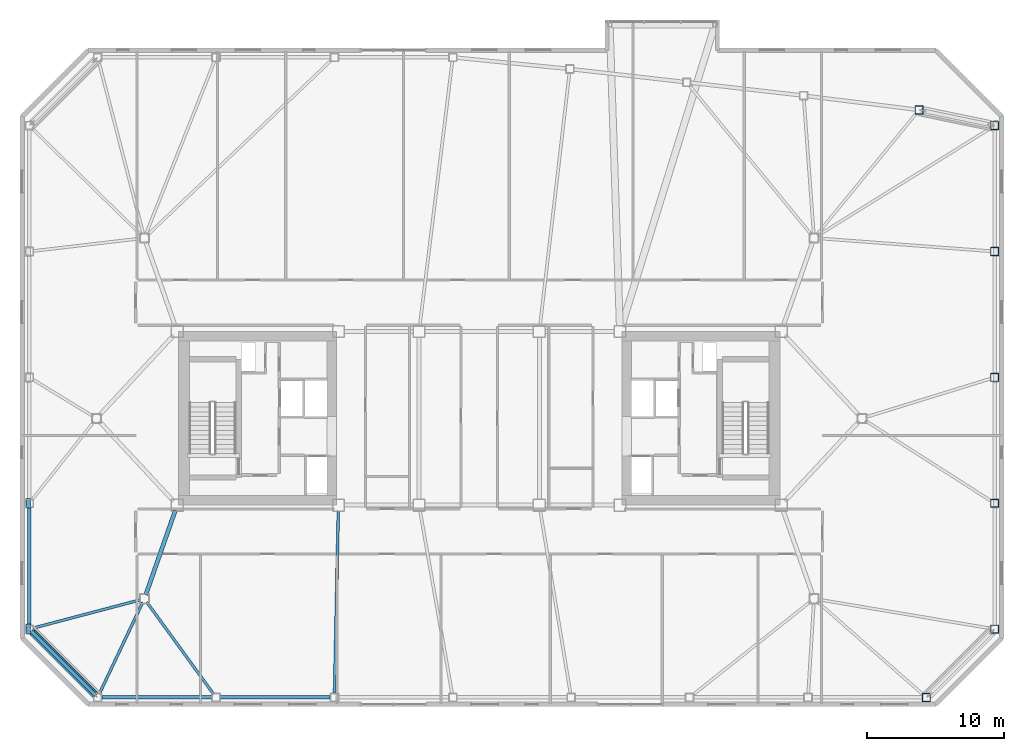
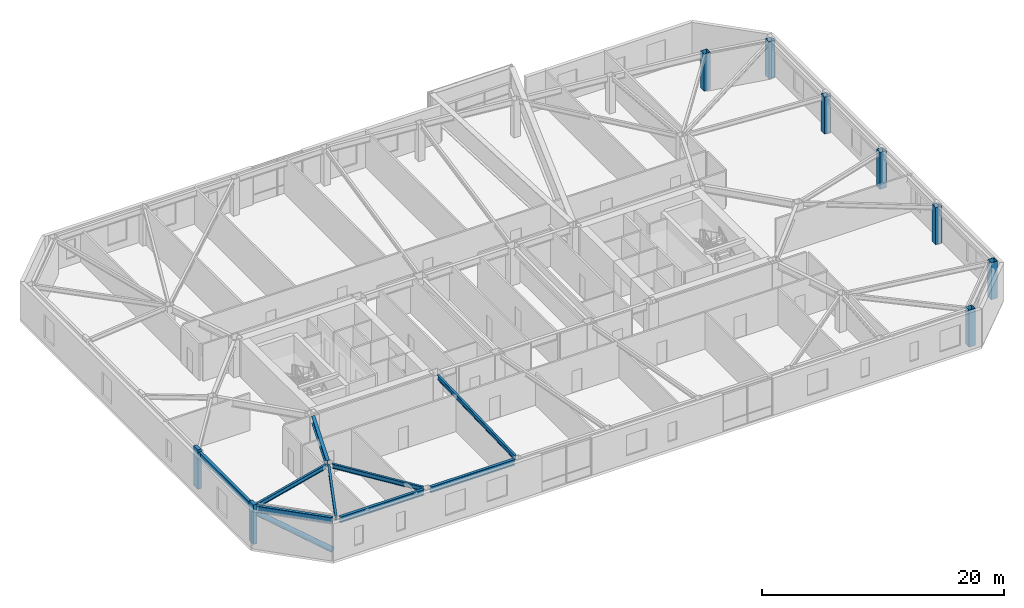
# One storey, part 3 of 20: 9 beams, 7 columns, 3 members.
"""IFC4 building model written with IfcOpenShell, lengths in metres."""

from ifc_helpers import new_model, si_unit, direction, frame, origin, origin_2d, place, context, subcontext, project, spatial, rectangle, hollow_rectangle, hollow_circle, i_section, extrude, material, material_profile, profile_set, type_object, element, save


model = new_model("IFC4")

# Units and contexts
model_context = context("Model", 3, precision=1e-05, world=origin(), true_north=direction((0.0, 1.0)))
body_context = subcontext(model_context, "Body", "Model", "MODEL_VIEW")
ifc_project = project(units=[si_unit("LENGTHUNIT", "METRE"), si_unit("AREAUNIT", "SQUARE_METRE"), si_unit("VOLUMEUNIT", "CUBIC_METRE"), si_unit("PLANEANGLEUNIT", "RADIAN"), si_unit("MASSUNIT", "GRAM", prefix="KILO")], contexts=[model_context])

# Site, building, storey
site_placement = place(None, origin())
site = spatial("IfcSite", under=ifc_project, at=site_placement, CompositionType="ELEMENT")
building_placement = place(site_placement, origin())
building = spatial("IfcBuilding", under=site, at=building_placement, Name="Tavrogorsk Clinical Tower", CompositionType="ELEMENT")
storey_placement = place(building_placement, frame((0.0, 0.0, 176.199951171875)))
storey = spatial("IfcBuildingStorey", under=building, at=storey_placement, Name="L40", CompositionType="ELEMENT", Elevation=176.199951171875)

# Columns
ifc_material_1 = material(Name="Structural steel S440", Category="steel")
ifc_material_profile_1 = material_profile(ifc_material_1, hollow_rectangle(XDim=0.60009765625, YDim=0.60009765625, WallThickness=0.028076171875, at=origin_2d()), Name="BOX-600x600x28")
ifc_profile_set_1 = profile_set([ifc_material_profile_1], Name="Structural steel S440")
column_type = type_object("IfcColumnType", Name="PerimCol_B3_BOX600", PredefinedType="COLUMN", material=ifc_profile_set_1)
for number, where, z_axis, x_axis, name in (
    (1, (32.719970703125, -20.419921875, 0.0), (0.0, 0.0, 1.0), (1.0, 0.0, 0.0), "L40 Perimeter Column S8"),
    (2, (32.19140625, 22.56591796875, 0.0), (0.0, 0.0, 1.0), (1.0, 0.0, 0.0), "L40 Perimeter Column N1"),
    (3, (37.719970703125, -15.419921875, 0.0), (0.0, 0.0, 1.0), (1.0, 0.0, 0.0), "L40 Perimeter Column E1"),
    (4, (37.719970703125, -6.2099609375, 0.0), (0.0, 0.0, 1.0), (1.0, 0.0, 0.0), "L40 Perimeter Column E2"),
    (5, (37.719970703125, 3.0, 0.0), (0.0, 0.0, 1.0), (1.0, 0.0, 0.0), "L40 Perimeter Column E3"),
    (6, (37.719970703125, 12.2099609375, 0.0), (0.0, 0.0, 1.0), (1.0, 0.0, 0.0), "L40 Perimeter Column E4"),
    (7, (37.719970703125, 21.419921875, 0.0), (0.0, 0.0, 1.0), (1.0, 0.0, 0.0), "L40 Perimeter Column E5"),
):
    element("IfcColumn", number, at=place(storey_placement, frame(where, z_axis=z_axis, x_axis=x_axis)), inside=storey, type_object=column_type, Name=name, PredefinedType="COLUMN", context=body_context, shape_type="SweptSolid", body=[
        extrude(hollow_rectangle(XDim=0.60009765625, YDim=0.60009765625, WallThickness=0.028076171875, at=origin_2d()), origin(), (0.0, 0.0, 1.0), 3.739990234375),
    ])

# Member
ifc_material_2 = material(Name="Structural steel S440", Category="steel")
ifc_material_profile_2 = material_profile(ifc_material_2, hollow_circle(Radius=0.25390625, WallThickness=0.02001953125, at=origin_2d()), Name="CHS-508x20")
ifc_profile_set_2 = profile_set([ifc_material_profile_2], Name="Structural steel S440")
member_type_1 = type_object("IfcMemberType", Name="ExoBrace_CHS508", PredefinedType="BRACE", material=ifc_profile_set_2)
member_placement = place(storey_placement, frame((-28.12255859375, -20.217529296875, 0.4130859375), z_axis=(-0.657758524103, 0.657758524103, 0.367025132572), x_axis=(-0.707106781187, -0.707106781187, 0.0)))
element("IfcMember", 8, at=member_placement, inside=storey, type_object=member_type_1, Name="L40 Corner Exoskeleton Brace W5-S1", PredefinedType="BRACE", context=body_context, shape_type="SweptSolid", body=[
    extrude(hollow_circle(Radius=0.25390625, WallThickness=0.02001953125, at=origin_2d()), origin(), (0.0, 0.0, 1.0), 6.98583984375),
])

# Beams
ifc_material_3 = material(Name="Structural steel S355", Category="steel")
ifc_material_profile_3 = material_profile(ifc_material_3, i_section(OverallWidth=0.199951171875, OverallDepth=0.449951171875, WebThickness=0.011474609375, FlangeThickness=0.01806640625, at=origin_2d()), Name="B-450x200x11.5x18")
ifc_profile_set_3 = profile_set([ifc_material_profile_3], Name="Structural steel S355")
beam_type_1 = type_object("IfcBeamType", Name="FloorBeam_B450", PredefinedType="BEAM", material=ifc_profile_set_3)
beam_1_placement = place(storey_placement, frame((-24.6328125, -13.480224609375, 3.51513671875), z_axis=(-0.428073530385, -0.90374390874, 0.0), x_axis=(0.90374390874, -0.428073530385, 0.0)))
element("IfcBeam", 9, at=beam_1_placement, inside=storey, type_object=beam_type_1, Name="L40 Radial Floor Beam S1", PredefinedType="BEAM", context=body_context, shape_type="SweptSolid", body=[
    extrude(i_section(OverallWidth=0.199951171875, OverallDepth=0.449951171875, WebThickness=0.011474609375, FlangeThickness=0.01806640625, at=origin_2d()), origin(), (0.0, 0.0, 1.0), 7.370849609375),
])
beam_2_placement = place(storey_placement, frame((-24.31787109375, -13.450927734375, 3.51513671875), z_axis=(0.587591229638, -0.809157924544, 0.0), x_axis=(0.809157924544, 0.587591229638, 0.0)))
element("IfcBeam", 10, at=beam_2_placement, inside=storey, type_object=beam_type_1, Name="L40 Radial Floor Beam S2", PredefinedType="BEAM", context=body_context, shape_type="SweptSolid", body=[
    extrude(i_section(OverallWidth=0.199951171875, OverallDepth=0.449951171875, WebThickness=0.011474609375, FlangeThickness=0.01806640625, at=origin_2d()), origin(), (0.0, 0.0, 1.0), 8.304931640625),
])
beam_3_placement = place(storey_placement, frame((-10.30859375, -6.760009765625, 3.51513671875), z_axis=(-0.020913325994, -0.999781292481, 0.0), x_axis=(0.999781292481, -0.020913325994, 0.0)))
element("IfcBeam", 11, at=beam_3_placement, inside=storey, type_object=beam_type_1, Name="L40 Radial Floor Beam S3", PredefinedType="BEAM", context=body_context, shape_type="SweptSolid", body=[
    extrude(i_section(OverallWidth=0.199951171875, OverallDepth=0.449951171875, WebThickness=0.011474609375, FlangeThickness=0.01806640625, at=origin_2d()), origin(), (0.0, 0.0, 1.0), 13.35498046875),
])
beam_4_placement = place(storey_placement, frame((-24.7998046875, -13.279052734375, 3.51513671875), z_axis=(-0.966952457073, -0.254956752726, 0.0), x_axis=(0.254956752726, -0.966952457073, 0.0)))
element("IfcBeam", 12, at=beam_4_placement, inside=storey, type_object=beam_type_1, Name="L40 Radial Floor Beam W5", PredefinedType="BEAM", context=body_context, shape_type="SweptSolid", body=[
    extrude(i_section(OverallWidth=0.199951171875, OverallDepth=0.449951171875, WebThickness=0.011474609375, FlangeThickness=0.01806640625, at=origin_2d()), origin(), (0.0, 0.0, 1.0), 8.089599609375),
])

# Members
ifc_material_4 = material(Name="Precast concrete B45 with limestone cladding", Category="masonry")
ifc_material_profile_4 = material_profile(ifc_material_4, rectangle(XDim=0.320068359375, YDim=0.719970703125, at=origin_2d()), Name="LIMESTONE-FIN-320x720")
ifc_profile_set_4 = profile_set([ifc_material_profile_4], Name="Precast concrete B45 with limestone cladding")
member_type_2 = type_object("IfcMemberType", Name="LimestonePleatFin_320x720", PredefinedType="USERDEFINED", material=ifc_profile_set_4)
for number, where, z_axis, x_axis, name in (
    (13, (-33.0, -6.2099609375, 0.0), (0.0, 0.0, 1.0), (1.0, 0.0, 0.0), "L40 W Pleated Stone Fin 3"),
    (14, (-33.0, -15.419921875, 0.0), (0.0, 0.0, 1.0), (1.0, 0.0, 0.0), "L40 W Pleated Stone Fin 4"),
):
    element("IfcMember", number, at=place(storey_placement, frame(where, z_axis=z_axis, x_axis=x_axis)), inside=storey, type_object=member_type_2, Name=name, ObjectType="FIN", PredefinedType="USERDEFINED", context=body_context, shape_type="SweptSolid", body=[
        extrude(rectangle(XDim=0.320068359375, YDim=0.719970703125, at=origin_2d()), origin(), (0.0, 0.0, 1.0), 4.0),
    ])

# Beams
ifc_material_5 = material(Name="Structural steel S390", Category="steel")
ifc_material_profile_5 = material_profile(ifc_material_5, i_section(OverallWidth=0.300048828125, OverallDepth=0.699951171875, WebThickness=0.01708984375, FlangeThickness=0.028076171875, at=origin_2d()), Name="B-700x300x17x28")
ifc_profile_set_5 = profile_set([ifc_material_profile_5], Name="Structural steel S390")
beam_type_2 = type_object("IfcBeamType", Name="PrimaryGirder_B700", PredefinedType="USERDEFINED", material=ifc_profile_set_5)
beam_5_placement = place(storey_placement, frame((-24.3974609375, -12.907470703125, 3.39013671875), z_axis=(0.33065312634, 0.94375235631, 0.0), x_axis=(-0.94375235631, 0.33065312634, 0.0)))
element("IfcBeam", 15, at=beam_5_placement, inside=storey, type_object=beam_type_2, Name="L40 Spine Link Girder OPG-1", ObjectType="GIRDER", PredefinedType="USERDEFINED", context=body_context, shape_type="SweptSolid", body=[
    extrude(i_section(OverallWidth=0.300048828125, OverallDepth=0.699951171875, WebThickness=0.01708984375, FlangeThickness=0.028076171875, at=origin_2d()), origin(), (0.0, 0.0, 1.0), 6.5380859375),
])
ifc_material_6 = material(Name="Structural steel S390", Category="steel")
ifc_material_profile_6 = material_profile(ifc_material_6, i_section(OverallWidth=0.260009765625, OverallDepth=0.60009765625, WebThickness=0.014892578125, FlangeThickness=0.02392578125, at=origin_2d()), Name="B-600x260x15x24")
ifc_profile_set_6 = profile_set([ifc_material_profile_6], Name="Structural steel S390")
beam_type_3 = type_object("IfcBeamType", Name="SpandrelBeam_B600", PredefinedType="SPANDREL", material=ifc_profile_set_6)
for number, where, z_axis, x_axis, name in (
    (16, (-27.612060546875, -20.419921875, 3.43994140625), (1.0, 0.0, 0.0), (0.0, 1.0, 0.0), "L40 Perimeter Spandrel S1-S2"),
    (17, (-18.94921875, -20.419921875, 3.43994140625), (1.0, 0.0, 0.0), (0.0, 1.0, 0.0), "L40 Perimeter Spandrel S2-S3"),
):
    element("IfcBeam", number, at=place(storey_placement, frame(where, z_axis=z_axis, x_axis=x_axis)), inside=storey, type_object=beam_type_3, Name=name, PredefinedType="SPANDREL", context=body_context, shape_type="SweptSolid", body=[
        extrude(i_section(OverallWidth=0.260009765625, OverallDepth=0.60009765625, WebThickness=0.014892578125, FlangeThickness=0.02392578125, at=origin_2d()), origin(), (0.0, 0.0, 1.0), 8.046875),
    ])
beam_6_placement = place(storey_placement, frame((-32.919921875, -6.51806640625, 3.43994140625), z_axis=(0.0, -1.0, 0.0), x_axis=(1.0, 0.0, 0.0)))
element("IfcBeam", 18, at=beam_6_placement, inside=storey, type_object=beam_type_3, Name="L40 Perimeter Spandrel W4-W5", PredefinedType="SPANDREL", context=body_context, shape_type="SweptSolid", body=[
    extrude(i_section(OverallWidth=0.260009765625, OverallDepth=0.60009765625, WebThickness=0.014892578125, FlangeThickness=0.02392578125, at=origin_2d()), origin(), (0.0, 0.0, 1.0), 8.593994140625),
])
beam_7_placement = place(storey_placement, frame((-32.7021484375, -15.6376953125, 3.43994140625), z_axis=(0.707106781187, -0.707106781187, 0.0), x_axis=(0.707106781187, 0.707106781187, 0.0)))
element("IfcBeam", 19, at=beam_7_placement, inside=storey, type_object=beam_type_3, Name="L40 Perimeter Spandrel W5-S1", PredefinedType="SPANDREL", context=body_context, shape_type="SweptSolid", body=[
    extrude(i_section(OverallWidth=0.260009765625, OverallDepth=0.60009765625, WebThickness=0.014892578125, FlangeThickness=0.02392578125, at=origin_2d()), origin(), (0.0, 0.0, 1.0), 6.455078125),
])

save(model, "model.ifc")
